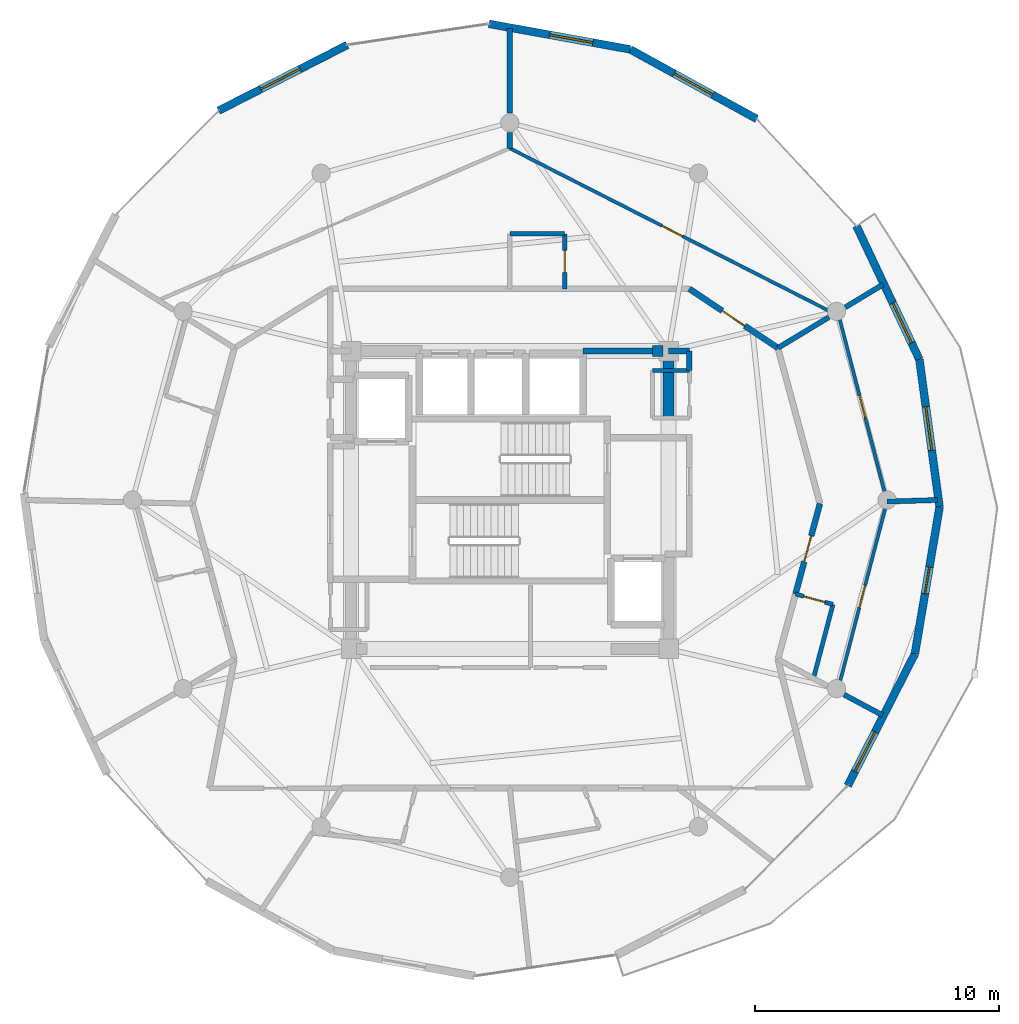
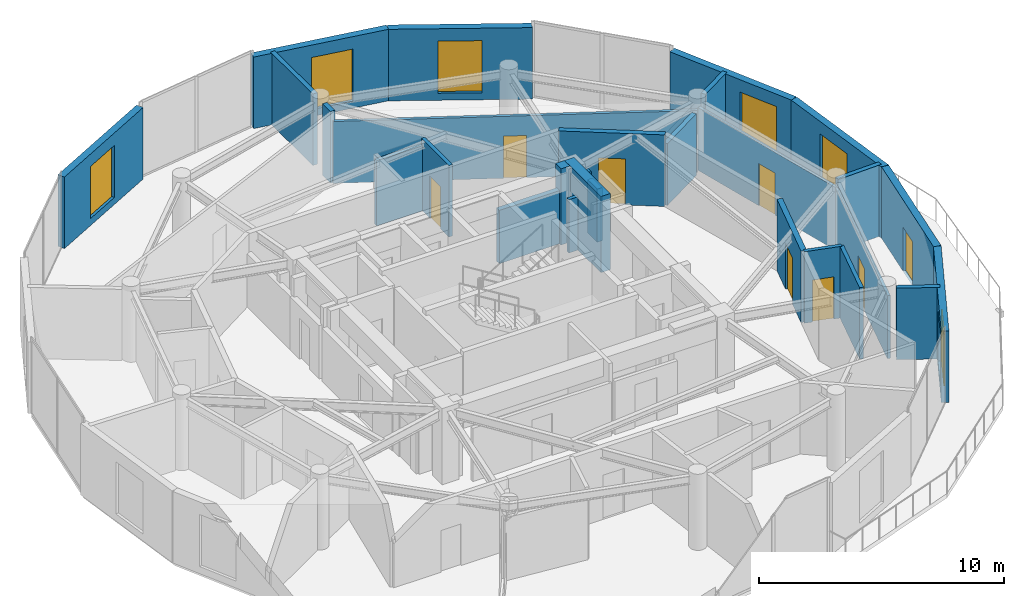
# One storey, part 20 of 23: 28 walls, 8 doors, 6 windows, 14 openings.
"""IFC4 building model written with IfcOpenShell, lengths in metres."""

from ifc_helpers import new_model, si_unit, direction, frame, frame_2d, origin, place, context, subcontext, project, spatial, rectangle, extrude, material, layer, layer_set, type_object, element, fill, save


model = new_model("IFC4")

# Units and contexts
model_context = context("Model", 3, precision=1e-05, world=origin(), true_north=direction((0.0, 1.0)))
body_context = subcontext(model_context, "Body", "Model", "MODEL_VIEW")
ifc_project = project(units=[si_unit("LENGTHUNIT", "METRE"), si_unit("AREAUNIT", "SQUARE_METRE"), si_unit("VOLUMEUNIT", "CUBIC_METRE"), si_unit("PLANEANGLEUNIT", "RADIAN"), si_unit("MASSUNIT", "GRAM", prefix="KILO")], contexts=[model_context])

# Site, building, storey
site_placement = place(None, origin())
site = spatial("IfcSite", under=ifc_project, at=site_placement, CompositionType="ELEMENT")
building_placement = place(site_placement, origin())
building = spatial("IfcBuilding", under=site, at=building_placement, Name="Solvirekh Grand Hotel", CompositionType="ELEMENT")
storey_placement = place(building_placement, frame((0.0, 0.0, 282.0)))
storey = spatial("IfcBuildingStorey", under=building, at=storey_placement, Name="L73", CompositionType="ELEMENT", Elevation=282.0)

# Walls
ifc_material_1 = material(Name="Concrete C50/60", Category="concrete")
ifc_layer_1 = layer(ifc_material_1, 0.449951171875)
ifc_layer_set_1 = layer_set([ifc_layer_1], Name="Concrete C50/60")
wall_type_1 = type_object("IfcWallType", Name="CoreWall_RC450", PredefinedType="SHEAR", material=ifc_layer_set_1)
wall_1_placement = place(storey_placement, frame((5.85009765625, 6.10009765625, 0.0), z_axis=(0.0, 0.0, 1.0), x_axis=(1.0, 0.0, 0.0)))
element("IfcWall", 1, at=wall_1_placement, inside=storey, type_object=wall_type_1, Name="L73 core corner shear wall NE-N", PredefinedType="SHEAR", context=body_context, shape_type="SweptSolid", body=[
    extrude(rectangle(XDim=0.4248046875, YDim=0.449951171875, at=frame_2d((0.21240234375, 0.0))), origin(), (0.0, 0.0, 1.0), 3.800048828125),
])
wall_2_placement = place(storey_placement, frame((6.5, 3.35009765625, 0.0), z_axis=(0.0, 0.0, 1.0), x_axis=(0.0, 1.0, 0.0)))
element("IfcWall", 2, at=wall_2_placement, inside=storey, type_object=wall_type_1, Name="L73 core corner shear wall EN-E", PredefinedType="SHEAR", context=body_context, shape_type="SweptSolid", body=[
    extrude(rectangle(XDim=2.974853515625, YDim=0.449951171875, at=frame_2d((1.4873046875, 0.0))), origin(), (0.0, 0.0, 1.0), 3.800048828125),
])

# Wall, opening, window
ifc_material_2 = material(Name="Precast concrete C45/55", Category="concrete")
ifc_layer_2 = layer(ifc_material_2, 0.320068359375)
ifc_layer_set_2 = layer_set([ifc_layer_2], Name="Precast concrete C45/55")
wall_type_2 = type_object("IfcWallType", Name="ExtLobbyWall_RC320", PredefinedType="SOLIDWALL", material=ifc_layer_set_2)
wall_3_placement = place(storey_placement, frame((16.587890625, -6.299072265625, 0.0), z_axis=(0.0, 0.0, 1.0), x_axis=(-0.453783790234, -0.891111817743, 0.0)))
wall_3 = element("IfcWall", 3, at=wall_3_placement, inside=storey, type_object=wall_type_2, Name="L73 exterior structural wall chord 4", PredefinedType="SOLIDWALL", context=body_context, shape_type="SweptSolid", body=[
    extrude(rectangle(XDim=6.05322265625, YDim=0.320068359375, at=frame_2d((3.026611328125, 0.0))), origin(), (0.0, 0.0, 1.0), 3.570068359375),
])
opening_1_placement = place(wall_3_placement, frame((3.596923828125, 0.0, 0.35009765625)))
opening_1 = element("IfcOpeningElement", 4, at=opening_1_placement, cuts=wall_3, Name="Opening W02", PredefinedType="OPENING", context=body_context, shape_type="SweptSolid", body=[
    extrude(rectangle(XDim=1.800048828125, YDim=2.60009765625, at=frame_2d((0.89990234375, 1.300048828125))), frame((0.0, 0.169921875, 0.0), z_axis=(0.0, -1.0, 0.0), x_axis=(1.0, 0.0, 0.0)), (0.0, 0.0, 1.0), 0.340087890625),
])
ifc_material_3 = material(Name="Low-E Tinted Bronze Laminated Glass", Category="aluminium")
window_type = type_object("IfcWindowType", Name="Win_LobbyExt_1800X2600", PartitioningType="SINGLE_PANEL", PredefinedType="WINDOW", material=ifc_material_3)
window_1_placement = place(opening_1_placement, origin())
window_1 = element("IfcWindow", 5, at=window_1_placement, inside=storey, type_object=window_type, Name="L73 panoramic bronze-framed window 4", OverallHeight=2.60009765625, OverallWidth=1.800048828125, PartitioningType="SINGLE_PANEL", PredefinedType="WINDOW", context=body_context, shape_type="SweptSolid", body=[
    extrude(rectangle(XDim=1.800048828125, YDim=2.60009765625, at=frame_2d((0.89990234375, 1.300048828125))), frame((0.0, 0.030029296875, 0.0), z_axis=(0.0, -1.0, 0.0), x_axis=(1.0, 0.0, 0.0)), (0.0, 0.0, 1.0), 0.06005859375),
])
fill(opening_1, window_1)

# Wall, opening, door
wall_4_placement = place(storey_placement, frame((17.597900390625, -0.2880859375, 0.0), z_axis=(0.0, 0.0, 1.0), x_axis=(-0.165704395055, -0.986175467886, 0.0)))
wall_4 = element("IfcWall", 6, at=wall_4_placement, inside=storey, type_object=wall_type_2, Name="L73 exterior structural wall chord 5", PredefinedType="SOLIDWALL", context=body_context, shape_type="SweptSolid", body=[
    extrude(rectangle(XDim=6.09521484375, YDim=0.320068359375, at=frame_2d((3.047607421875, 0.0))), origin(), (0.0, 0.0, 1.0), 3.570068359375),
])
opening_2_placement = place(wall_4_placement, frame((2.498046875, 0.0, 0.0)))
opening_2 = element("IfcOpeningElement", 7, at=opening_2_placement, cuts=wall_4, Name="Opening D03", PredefinedType="OPENING", context=body_context, shape_type="SweptSolid", body=[
    extrude(rectangle(XDim=1.10009765625, YDim=2.199951171875, at=frame_2d((0.550048828125, 1.10009765625))), frame((0.0, 0.169921875, 0.0), z_axis=(0.0, -1.0, 0.0), x_axis=(1.0, 0.0, 0.0)), (0.0, 0.0, 1.0), 0.340087890625),
])
ifc_material_4 = material(Name="Anodized Bronze Aluminium 6063-T6", Category="aluminium")
door_type_1 = type_object("IfcDoorType", Name="Door_ExtBalcony_1100X2200", OperationType="NOTDEFINED", PredefinedType="DOOR", material=ifc_material_4)
door_1_placement = place(opening_2_placement, origin())
door_1 = element("IfcDoor", 8, at=door_1_placement, inside=storey, type_object=door_type_1, Name="L73 Crescent balcony glazed door (5)", OperationType="SINGLE_SWING_LEFT", OverallHeight=2.199951171875, OverallWidth=1.10009765625, PredefinedType="DOOR", context=body_context, shape_type="SweptSolid", body=[
    extrude(rectangle(XDim=1.10009765625, YDim=2.199951171875, at=frame_2d((0.550048828125, 1.10009765625))), frame((0.0, 0.02490234375, 0.0), z_axis=(0.0, -1.0, 0.0), x_axis=(1.0, 0.0, 0.0)), (0.0, 0.0, 1.0), 0.050048828125),
])
fill(opening_2, door_1)

# Wall, opening, window
wall_5_placement = place(storey_placement, frame((16.77294921875, 5.7509765625, 0.0), z_axis=(0.0, 0.0, 1.0), x_axis=(0.135345568291, -0.990798454351, 0.0)))
wall_5 = element("IfcWall", 9, at=wall_5_placement, inside=storey, type_object=wall_type_2, Name="L73 exterior structural wall chord 6", PredefinedType="SOLIDWALL", context=body_context, shape_type="SweptSolid", body=[
    extrude(rectangle(XDim=6.09521484375, YDim=0.320068359375, at=frame_2d((3.047607421875, 0.0))), origin(), (0.0, 0.0, 1.0), 3.570068359375),
])
opening_3_placement = place(wall_5_placement, frame((1.949951171875, 0.0, 0.35009765625)))
opening_3 = element("IfcOpeningElement", 10, at=opening_3_placement, cuts=wall_5, Name="Opening W02", PredefinedType="OPENING", context=body_context, shape_type="SweptSolid", body=[
    extrude(rectangle(XDim=1.800048828125, YDim=2.60009765625, at=frame_2d((0.89990234375, 1.300048828125))), frame((0.0, 0.169921875, 0.0), z_axis=(0.0, -1.0, 0.0), x_axis=(1.0, 0.0, 0.0)), (0.0, 0.0, 1.0), 0.340087890625),
])
window_2_placement = place(opening_3_placement, origin())
window_2 = element("IfcWindow", 11, at=window_2_placement, inside=storey, type_object=window_type, Name="L73 panoramic bronze-framed window 6", OverallHeight=2.60009765625, OverallWidth=1.800048828125, PartitioningType="SINGLE_PANEL", PredefinedType="WINDOW", context=body_context, shape_type="SweptSolid", body=[
    extrude(rectangle(XDim=1.800048828125, YDim=2.60009765625, at=frame_2d((0.89990234375, 1.300048828125))), frame((0.0, 0.030029296875, 0.0), z_axis=(0.0, -1.0, 0.0), x_axis=(1.0, 0.0, 0.0)), (0.0, 0.0, 1.0), 0.06005859375),
])
fill(opening_3, window_2)

wall_6_placement = place(storey_placement, frame((14.193115234375, 11.22705078125, 0.0), z_axis=(0.0, 0.0, 1.0), x_axis=(0.426183517714, -0.904636727769, 0.0)))
wall_6 = element("IfcWall", 12, at=wall_6_placement, inside=storey, type_object=wall_type_2, Name="L73 exterior structural wall chord 7", PredefinedType="SOLIDWALL", context=body_context, shape_type="SweptSolid", body=[
    extrude(rectangle(XDim=6.05322265625, YDim=0.320068359375, at=frame_2d((3.026611328125, 0.0))), origin(), (0.0, 0.0, 1.0), 3.570068359375),
])
opening_4_placement = place(wall_6_placement, frame((3.49609375, 0.0, 0.35009765625)))
opening_4 = element("IfcOpeningElement", 13, at=opening_4_placement, cuts=wall_6, Name="Opening W02", PredefinedType="OPENING", context=body_context, shape_type="SweptSolid", body=[
    extrude(rectangle(XDim=1.800048828125, YDim=2.60009765625, at=frame_2d((0.89990234375, 1.300048828125))), frame((0.0, 0.169921875, 0.0), z_axis=(0.0, -1.0, 0.0), x_axis=(1.0, 0.0, 0.0)), (0.0, 0.0, 1.0), 0.340087890625),
])
window_3_placement = place(opening_4_placement, origin())
window_3 = element("IfcWindow", 14, at=window_3_placement, inside=storey, type_object=window_type, Name="L73 panoramic bronze-framed window 7", OverallHeight=2.60009765625, OverallWidth=1.800048828125, PartitioningType="SINGLE_PANEL", PredefinedType="WINDOW", context=body_context, shape_type="SweptSolid", body=[
    extrude(rectangle(XDim=1.800048828125, YDim=2.60009765625, at=frame_2d((0.89990234375, 1.300048828125))), frame((0.0, 0.030029296875, 0.0), z_axis=(0.0, -1.0, 0.0), x_axis=(1.0, 0.0, 0.0)), (0.0, 0.0, 1.0), 0.06005859375),
])
fill(opening_4, window_3)

wall_7_placement = place(storey_placement, frame((4.927978515625, 18.4541015625, 0.0), z_axis=(0.0, 0.0, 1.0), x_axis=(0.876367486065, -0.481643051822, 0.0)))
wall_7 = element("IfcWall", 15, at=wall_7_placement, inside=storey, type_object=wall_type_2, Name="L73 exterior structural wall chord 9", PredefinedType="SOLIDWALL", context=body_context, shape_type="SweptSolid", body=[
    extrude(rectangle(XDim=5.91552734375, YDim=0.320068359375, at=frame_2d((2.957763671875, 0.0))), origin(), (0.0, 0.0, 1.0), 3.570068359375),
])
opening_5_placement = place(wall_7_placement, frame((2.05810546875, 0.0, 0.35009765625)))
opening_5 = element("IfcOpeningElement", 16, at=opening_5_placement, cuts=wall_7, Name="Opening W02", PredefinedType="OPENING", context=body_context, shape_type="SweptSolid", body=[
    extrude(rectangle(XDim=1.800048828125, YDim=2.60009765625, at=frame_2d((0.89990234375, 1.300048828125))), frame((0.0, 0.169921875, 0.0), z_axis=(0.0, -1.0, 0.0), x_axis=(1.0, 0.0, 0.0)), (0.0, 0.0, 1.0), 0.340087890625),
])
window_4_placement = place(opening_5_placement, origin())
window_4 = element("IfcWindow", 17, at=window_4_placement, inside=storey, type_object=window_type, Name="L73 panoramic bronze-framed window 9", OverallHeight=2.60009765625, OverallWidth=1.800048828125, PartitioningType="SINGLE_PANEL", PredefinedType="WINDOW", context=body_context, shape_type="SweptSolid", body=[
    extrude(rectangle(XDim=1.800048828125, YDim=2.60009765625, at=frame_2d((0.89990234375, 1.300048828125))), frame((0.0, 0.030029296875, 0.0), z_axis=(0.0, -1.0, 0.0), x_axis=(1.0, 0.0, 0.0)), (0.0, 0.0, 1.0), 0.06005859375),
])
fill(opening_5, window_4)

wall_8_placement = place(storey_placement, frame((-0.85107421875, 19.498046875, 0.0), z_axis=(0.0, 0.0, 1.0), x_axis=(0.984072814276, -0.177765846557, 0.0)))
wall_8 = element("IfcWall", 18, at=wall_8_placement, inside=storey, type_object=wall_type_2, Name="L73 exterior structural wall chord 10", PredefinedType="SOLIDWALL", context=body_context, shape_type="SweptSolid", body=[
    extrude(rectangle(XDim=5.87255859375, YDim=0.320068359375, at=frame_2d((2.936279296875, 0.0))), origin(), (0.0, 0.0, 1.0), 3.570068359375),
])
opening_6_placement = place(wall_8_placement, frame((2.52197265625, 0.0, 0.35009765625)))
opening_6 = element("IfcOpeningElement", 19, at=opening_6_placement, cuts=wall_8, Name="Opening W02", PredefinedType="OPENING", context=body_context, shape_type="SweptSolid", body=[
    extrude(rectangle(XDim=1.800048828125, YDim=2.60009765625, at=frame_2d((0.89990234375, 1.300048828125))), frame((0.0, 0.169921875, 0.0), z_axis=(0.0, -1.0, 0.0), x_axis=(1.0, 0.0, 0.0)), (0.0, 0.0, 1.0), 0.340087890625),
])
window_5_placement = place(opening_6_placement, origin())
window_5 = element("IfcWindow", 20, at=window_5_placement, inside=storey, type_object=window_type, Name="L73 panoramic bronze-framed window 10", OverallHeight=2.60009765625, OverallWidth=1.800048828125, PartitioningType="SINGLE_PANEL", PredefinedType="WINDOW", context=body_context, shape_type="SweptSolid", body=[
    extrude(rectangle(XDim=1.800048828125, YDim=2.60009765625, at=frame_2d((0.89990234375, 1.300048828125))), frame((0.0, 0.030029296875, 0.0), z_axis=(0.0, -1.0, 0.0), x_axis=(1.0, 0.0, 0.0)), (0.0, 0.0, 1.0), 0.06005859375),
])
fill(opening_6, window_5)

wall_9_placement = place(storey_placement, frame((-11.927001953125, 15.943115234375, 0.0), z_axis=(0.0, 0.0, 1.0), x_axis=(0.890681374573, 0.454628077651, 0.0)))
wall_9 = element("IfcWall", 21, at=wall_9_placement, inside=storey, type_object=wall_type_2, Name="L73 exterior structural wall chord 12", PredefinedType="SOLIDWALL", context=body_context, shape_type="SweptSolid", body=[
    extrude(rectangle(XDim=5.91455078125, YDim=0.320068359375, at=frame_2d((2.957275390625, 0.0))), origin(), (0.0, 0.0, 1.0), 3.570068359375),
])
opening_7_placement = place(wall_9_placement, frame((1.947021484375, 0.0, 0.35009765625)))
opening_7 = element("IfcOpeningElement", 22, at=opening_7_placement, cuts=wall_9, Name="Opening W02", PredefinedType="OPENING", context=body_context, shape_type="SweptSolid", body=[
    extrude(rectangle(XDim=1.800048828125, YDim=2.60009765625, at=frame_2d((0.89990234375, 1.300048828125))), frame((0.0, 0.169921875, 0.0), z_axis=(0.0, -1.0, 0.0), x_axis=(1.0, 0.0, 0.0)), (0.0, 0.0, 1.0), 0.340087890625),
])
window_6_placement = place(opening_7_placement, origin())
window_6 = element("IfcWindow", 23, at=window_6_placement, inside=storey, type_object=window_type, Name="L73 panoramic bronze-framed window 12", OverallHeight=2.60009765625, OverallWidth=1.800048828125, PartitioningType="SINGLE_PANEL", PredefinedType="WINDOW", context=body_context, shape_type="SweptSolid", body=[
    extrude(rectangle(XDim=1.800048828125, YDim=2.60009765625, at=frame_2d((0.89990234375, 1.300048828125))), frame((0.0, 0.030029296875, 0.0), z_axis=(0.0, -1.0, 0.0), x_axis=(1.0, 0.0, 0.0)), (0.0, 0.0, 1.0), 0.06005859375),
])
fill(opening_7, window_6)

# Walls
ifc_material_5 = material(Name="Acoustic Gypsum Partition Assembly")
ifc_layer_3 = layer(ifc_material_5, 0.1650390625)
ifc_layer_set_3 = layer_set([ifc_layer_3], Name="Acoustic Gypsum Partition Assembly")
wall_type_3 = type_object("IfcWallType", Name="Part_BOH_165", PredefinedType="PARTITIONING", material=ifc_layer_set_3)
wall_10_placement = place(storey_placement, frame((7.35009765625, 5.300048828125, 0.0), z_axis=(0.0, 0.0, 1.0), x_axis=(-1.0, 0.0, 0.0)))
element("IfcWall", 24, at=wall_10_placement, inside=storey, type_object=wall_type_3, Name="L73 L73 Core Housekeeping Room wall 3", PredefinedType="PARTITIONING", context=body_context, shape_type="SweptSolid", body=[
    extrude(rectangle(XDim=1.5, YDim=0.1650390625, at=frame_2d((0.75, 0.0))), origin(), (0.0, 0.0, 1.0), 2.655029296875),
])
ifc_layer_4 = layer(ifc_material_5, 0.239990234375)
ifc_layer_set_4 = layer_set([ifc_layer_4], Name="Acoustic Gypsum Partition Assembly")
wall_type_4 = type_object("IfcWallType", Name="Part_Corridor_240", PredefinedType="PARTITIONING", material=ifc_layer_set_4)
wall_11_placement = place(storey_placement, frame((3.0, 6.10009765625, 0.0), z_axis=(0.0, 0.0, 1.0), x_axis=(1.0, 0.0, 0.0)))
element("IfcWall", 25, at=wall_11_placement, inside=storey, type_object=wall_type_4, Name="L73 north core shaft infill wall", PredefinedType="PARTITIONING", context=body_context, shape_type="SweptSolid", body=[
    extrude(rectangle(XDim=2.85009765625, YDim=0.239990234375, at=frame_2d((1.425048828125, 0.0))), origin(), (0.0, 0.0, 1.0), 2.655029296875),
])
wall_12_placement = place(storey_placement, frame((7.35009765625, 5.300048828125, 0.0), z_axis=(0.0, 0.0, 1.0), x_axis=(0.0, 1.0, 0.0)))
element("IfcWall", 26, at=wall_12_placement, inside=storey, type_object=wall_type_4, Name="L73 NE core cheek closure wall", PredefinedType="PARTITIONING", context=body_context, shape_type="SweptSolid", body=[
    extrude(rectangle(XDim=0.800048828125, YDim=0.239990234375, at=frame_2d((0.39990234375, 0.0))), origin(), (0.0, 0.0, 1.0), 2.655029296875),
])
wall_13_placement = place(storey_placement, frame((6.5, 6.10009765625, 0.0), z_axis=(0.0, 0.0, 1.0), x_axis=(1.0, 0.0, 0.0)))
element("IfcWall", 27, at=wall_13_placement, inside=storey, type_object=wall_type_4, Name="L73 NE core corner tie wall", PredefinedType="PARTITIONING", context=body_context, shape_type="SweptSolid", body=[
    extrude(rectangle(XDim=0.85009765625, YDim=0.239990234375, at=frame_2d((0.425048828125, 0.0))), origin(), (0.0, 0.0, 1.0), 3.0849609375),
])

# Wall, opening, door
wall_14_placement = place(storey_placement, frame((7.35009765625, 8.64990234375, 0.0), z_axis=(0.0, 0.0, 1.0), x_axis=(0.831395547998, -0.555681062094, 0.0)))
wall_14 = element("IfcWall", 28, at=wall_14_placement, inside=storey, type_object=wall_type_4, Name="L73 Panorama Suite 7501 Inner Suite Lounge entrance wall", PredefinedType="PARTITIONING", context=body_context, shape_type="SweptSolid", body=[
    extrude(rectangle(XDim=4.36376953125, YDim=0.239990234375, at=frame_2d((2.181884765625, 0.0))), origin(), (0.0, 0.0, 1.0), 3.570068359375),
])
opening_8_placement = place(wall_14_placement, frame((1.632080078125, 0.0, 0.0)))
opening_8 = element("IfcOpeningElement", 29, at=opening_8_placement, cuts=wall_14, Name="Opening D08", PredefinedType="OPENING", context=body_context, shape_type="SweptSolid", body=[
    extrude(rectangle(XDim=1.10009765625, YDim=2.300048828125, at=frame_2d((0.550048828125, 1.14990234375))), frame((0.0, 0.1298828125, 0.0), z_axis=(0.0, -1.0, 0.0), x_axis=(1.0, 0.0, 0.0)), (0.0, 0.0, 1.0), 0.260009765625),
])
ifc_material_6 = material(Name="Fire-Rated Steel Door Assembly", Category="steel")
door_type_2 = type_object("IfcDoorType", Name="Door_SuiteEntry_1100X2300", OperationType="NOTDEFINED", PredefinedType="DOOR", material=ifc_material_6)
door_2_placement = place(opening_8_placement, origin())
door_2 = element("IfcDoor", 30, at=door_2_placement, inside=storey, type_object=door_type_2, Name="L73 Panorama Suite 7501 Inner Suite Lounge entrance door", OperationType="SINGLE_SWING_RIGHT", OverallHeight=2.300048828125, OverallWidth=1.10009765625, PredefinedType="DOOR", context=body_context, shape_type="SweptSolid", body=[
    extrude(rectangle(XDim=1.10009765625, YDim=2.300048828125, at=frame_2d((0.550048828125, 1.14990234375))), frame((0.0, 0.02490234375, 0.0), z_axis=(0.0, -1.0, 0.0), x_axis=(1.0, 0.0, 0.0)), (0.0, 0.0, 1.0), 0.050048828125),
])
fill(opening_8, door_2)

wall_15_placement = place(storey_placement, frame((11.700927734375, -3.847900390625, 0.0), z_axis=(0.0, 0.0, 1.0), x_axis=(0.260803073576, 0.965392022348, 0.0)))
wall_15 = element("IfcWall", 31, at=wall_15_placement, inside=storey, type_object=wall_type_4, Name="L73 Executive Suite 7504 Living Room entrance wall", PredefinedType="PARTITIONING", context=body_context, shape_type="SweptSolid", body=[
    extrude(rectangle(XDim=3.83056640625, YDim=0.239990234375, at=frame_2d((1.915283203125, 0.0))), origin(), (0.0, 0.0, 1.0), 3.570068359375),
])
opening_9_placement = place(wall_15_placement, frame((1.364990234375, 0.0, 0.0)))
opening_9 = element("IfcOpeningElement", 32, at=opening_9_placement, cuts=wall_15, Name="Opening D08", PredefinedType="OPENING", context=body_context, shape_type="SweptSolid", body=[
    extrude(rectangle(XDim=1.10009765625, YDim=2.300048828125, at=frame_2d((0.550048828125, 1.14990234375))), frame((0.0, 0.1298828125, 0.0), z_axis=(0.0, -1.0, 0.0), x_axis=(1.0, 0.0, 0.0)), (0.0, 0.0, 1.0), 0.260009765625),
])
door_3_placement = place(opening_9_placement, origin())
door_3 = element("IfcDoor", 33, at=door_3_placement, inside=storey, type_object=door_type_2, Name="L73 Executive Suite 7504 Living Room entrance door", OperationType="SINGLE_SWING_RIGHT", OverallHeight=2.300048828125, OverallWidth=1.10009765625, PredefinedType="DOOR", context=body_context, shape_type="SweptSolid", body=[
    extrude(rectangle(XDim=1.10009765625, YDim=2.300048828125, at=frame_2d((0.550048828125, 1.14990234375))), frame((0.0, 0.02490234375, 0.0), z_axis=(0.0, -1.0, 0.0), x_axis=(1.0, 0.0, 0.0)), (0.0, 0.0, 1.0), 0.050048828125),
])
fill(opening_9, door_3)

ifc_layer_5 = layer(ifc_material_5, 0.135009765625)
ifc_layer_set_5 = layer_set([ifc_layer_5], Name="Acoustic Gypsum Partition Assembly")
wall_type_5 = type_object("IfcWallType", Name="Part_RoomInt_135", PredefinedType="PARTITIONING", material=ifc_layer_set_5)
wall_16_placement = place(storey_placement, frame((0.0, 14.403076171875, 0.0), z_axis=(0.0, 0.0, 1.0), x_axis=(0.89107593803, -0.45385424165, 0.0)))
wall_16 = element("IfcWall", 34, at=wall_16_placement, inside=storey, type_object=wall_type_5, Name="L73 Panorama Suite 7501 North Sitting Room bedroom screen wall", PredefinedType="PARTITIONING", context=body_context, shape_type="SweptSolid", body=[
    extrude(rectangle(XDim=14.927978515625, YDim=0.135009765625, at=frame_2d((7.4638671875, 0.0))), origin(), (0.0, 0.0, 1.0), 3.0849609375),
])
opening_10_placement = place(wall_16_placement, frame((6.989013671875, 0.0, 0.0)))
opening_10 = element("IfcOpeningElement", 35, at=opening_10_placement, cuts=wall_16, Name="Opening D10", PredefinedType="OPENING", context=body_context, shape_type="SweptSolid", body=[
    extrude(rectangle(XDim=0.949951171875, YDim=2.10009765625, at=frame_2d((0.47509765625, 1.050048828125))), frame((0.0, 0.07763671875, 0.0), z_axis=(0.0, -1.0, 0.0), x_axis=(1.0, 0.0, 0.0)), (0.0, 0.0, 1.0), 0.155029296875),
])
door_type_3 = type_object("IfcDoorType", Name="Door_RoomInt_950X2100", OperationType="NOTDEFINED", PredefinedType="DOOR", material=ifc_material_4)
door_4_placement = place(opening_10_placement, origin())
door_4 = element("IfcDoor", 36, at=door_4_placement, inside=storey, type_object=door_type_3, Name="L73 Panorama Suite 7501 North Sitting Room master bedroom door", OperationType="SINGLE_SWING_LEFT", OverallHeight=2.10009765625, OverallWidth=0.949951171875, PredefinedType="DOOR", context=body_context, shape_type="SweptSolid", body=[
    extrude(rectangle(XDim=0.949951171875, YDim=2.10009765625, at=frame_2d((0.47509765625, 1.050048828125))), frame((0.0, 0.02490234375, 0.0), z_axis=(0.0, -1.0, 0.0), x_axis=(1.0, 0.0, 0.0)), (0.0, 0.0, 1.0), 0.050048828125),
])
fill(opening_10, door_4)

wall_17_placement = place(storey_placement, frame((13.419921875, -7.8291015625, 0.0), z_axis=(0.0, 0.0, 1.0), x_axis=(0.252616340929, 0.967566527065, 0.0)))
wall_17 = element("IfcWall", 37, at=wall_17_placement, inside=storey, type_object=wall_type_5, Name="L73 Executive Suite 7504 Living Room bedroom screen wall", PredefinedType="PARTITIONING", context=body_context, shape_type="SweptSolid", body=[
    extrude(rectangle(XDim=8.0244140625, YDim=0.135009765625, at=frame_2d((4.01220703125, 0.0))), origin(), (0.0, 0.0, 1.0), 3.136962890625),
])
opening_11_placement = place(wall_17_placement, frame((3.537109375, 0.0, 0.0)))
opening_11 = element("IfcOpeningElement", 38, at=opening_11_placement, cuts=wall_17, Name="Opening D10", PredefinedType="OPENING", context=body_context, shape_type="SweptSolid", body=[
    extrude(rectangle(XDim=0.949951171875, YDim=2.10009765625, at=frame_2d((0.47509765625, 1.050048828125))), frame((0.0, 0.07763671875, 0.0), z_axis=(0.0, -1.0, 0.0), x_axis=(1.0, 0.0, 0.0)), (0.0, 0.0, 1.0), 0.155029296875),
])
door_5_placement = place(opening_11_placement, origin())
door_5 = element("IfcDoor", 39, at=door_5_placement, inside=storey, type_object=door_type_3, Name="L73 Executive Suite 7504 Living Room master bedroom door", OperationType="SINGLE_SWING_LEFT", OverallHeight=2.10009765625, OverallWidth=0.949951171875, PredefinedType="DOOR", context=body_context, shape_type="SweptSolid", body=[
    extrude(rectangle(XDim=0.949951171875, YDim=2.10009765625, at=frame_2d((0.47509765625, 1.050048828125))), frame((0.0, 0.02490234375, 0.0), z_axis=(0.0, -1.0, 0.0), x_axis=(1.0, 0.0, 0.0)), (0.0, 0.0, 1.0), 0.050048828125),
])
fill(opening_11, door_5)

wall_18_placement = place(storey_placement, frame((15.447021484375, -0.06494140625, 0.0), z_axis=(0.0, 0.0, 1.0), x_axis=(-0.251126791961, 0.967954200548, 0.0)))
wall_18 = element("IfcWall", 40, at=wall_18_placement, inside=storey, type_object=wall_type_5, Name="L73 Executive Suite 7504 Panorama Suite Study bedroom screen wall", PredefinedType="PARTITIONING", context=body_context, shape_type="SweptSolid", body=[
    extrude(rectangle(XDim=8.0283203125, YDim=0.135009765625, at=frame_2d((4.01416015625, 0.0))), origin(), (0.0, 0.0, 1.0), 3.136962890625),
])
opening_12_placement = place(wall_18_placement, frame((3.5390625, 0.0, 0.0)))
opening_12 = element("IfcOpeningElement", 41, at=opening_12_placement, cuts=wall_18, Name="Opening D10", PredefinedType="OPENING", context=body_context, shape_type="SweptSolid", body=[
    extrude(rectangle(XDim=0.949951171875, YDim=2.10009765625, at=frame_2d((0.47509765625, 1.050048828125))), frame((0.0, 0.07763671875, 0.0), z_axis=(0.0, -1.0, 0.0), x_axis=(1.0, 0.0, 0.0)), (0.0, 0.0, 1.0), 0.155029296875),
])
door_6_placement = place(opening_12_placement, origin())
door_6 = element("IfcDoor", 42, at=door_6_placement, inside=storey, type_object=door_type_3, Name="L73 Executive Suite 7504 Panorama Suite Study master bedroom door", OperationType="SINGLE_SWING_RIGHT", OverallHeight=2.10009765625, OverallWidth=0.949951171875, PredefinedType="DOOR", context=body_context, shape_type="SweptSolid", body=[
    extrude(rectangle(XDim=0.949951171875, YDim=2.10009765625, at=frame_2d((0.47509765625, 1.050048828125))), frame((0.0, 0.02490234375, 0.0), z_axis=(0.0, -1.0, 0.0), x_axis=(1.0, 0.0, 0.0)), (0.0, 0.0, 1.0), 0.050048828125),
])
fill(opening_12, door_6)

# Walls
ifc_layer_6 = layer(ifc_material_5, 0.2099609375)
ifc_layer_set_6 = layer_set([ifc_layer_6], Name="Acoustic Gypsum Partition Assembly")
wall_type_6 = type_object("IfcWallType", Name="Part_SuiteDemise_210", PredefinedType="PARTITIONING", material=ifc_layer_set_6)
wall_19_placement = place(storey_placement, frame((10.97802734375, 6.22509765625, 0.0), z_axis=(0.0, 0.0, 1.0), x_axis=(0.856173916647, 0.516687743664, 0.0)))
element("IfcWall", 43, at=wall_19_placement, inside=storey, type_object=wall_type_6, Name="L73 suite radial wall 2 (A)", PredefinedType="PARTITIONING", context=body_context, shape_type="SweptSolid", body=[
    extrude(rectangle(XDim=2.438720703125, YDim=0.2099609375, at=frame_2d((1.21923828125, 0.0))), origin(), (0.0, 0.0, 1.0), 3.0849609375),
])
wall_20_placement = place(storey_placement, frame((13.738037109375, 7.89111328125, 0.0), z_axis=(0.0, 0.0, 1.0), x_axis=(0.856140161033, 0.516743674045, 0.0)))
element("IfcWall", 44, at=wall_20_placement, inside=storey, type_object=wall_type_6, Name="L73 suite radial wall 2 (B)", PredefinedType="PARTITIONING", context=body_context, shape_type="SweptSolid", body=[
    extrude(rectangle(XDim=1.803466796875, YDim=0.2099609375, at=frame_2d((0.90185546875, 0.0))), origin(), (0.0, 0.0, 1.0), 3.570068359375),
])
wall_21_placement = place(storey_placement, frame((13.68896484375, -7.971923828125, 0.0), z_axis=(0.0, 0.0, 1.0), x_axis=(0.882205167705, -0.470865205844, 0.0)))
element("IfcWall", 45, at=wall_21_placement, inside=storey, type_object=wall_type_6, Name="L73 suite radial wall 12 (B)", PredefinedType="PARTITIONING", context=body_context, shape_type="SweptSolid", body=[
    extrude(rectangle(XDim=1.7841796875, YDim=0.2099609375, at=frame_2d((0.89208984375, 0.0))), origin(), (0.0, 0.0, 1.0), 3.570068359375),
])
wall_22_placement = place(storey_placement, frame((0.0, 14.403076171875, 0.0), z_axis=(0.0, 0.0, 1.0), x_axis=(0.0, 1.0, 0.0)))
element("IfcWall", 46, at=wall_22_placement, inside=storey, type_object=wall_type_6, Name="L73 Panorama Suite 7501 North Sitting Room dividing partition 1 (A)", PredefinedType="PARTITIONING", context=body_context, shape_type="SweptSolid", body=[
    extrude(rectangle(XDim=0.65185546875, YDim=0.2099609375, at=frame_2d((0.325927734375, 0.0))), origin(), (0.0, 0.0, 1.0), 3.570068359375),
])
wall_23_placement = place(storey_placement, frame((0.0, 15.844970703125, 0.0), z_axis=(0.0, 0.0, 1.0), x_axis=(0.0, 1.0, 0.0)))
element("IfcWall", 47, at=wall_23_placement, inside=storey, type_object=wall_type_6, Name="L73 Panorama Suite 7501 North Sitting Room dividing partition 1 (B)", PredefinedType="PARTITIONING", context=body_context, shape_type="SweptSolid", body=[
    extrude(rectangle(XDim=3.458984375, YDim=0.2099609375, at=frame_2d((1.7294921875, 0.0))), origin(), (0.0, 0.0, 1.0), 3.570068359375),
])
wall_24_placement = place(storey_placement, frame((15.447021484375, -0.06494140625, 0.0), z_axis=(0.0, 0.0, 1.0), x_axis=(0.999509199435, 0.031326669854, 0.0)))
element("IfcWall", 48, at=wall_24_placement, inside=storey, type_object=wall_type_6, Name="L73 Executive Suite 7504 Living Room dividing partition 1", PredefinedType="PARTITIONING", context=body_context, shape_type="SweptSolid", body=[
    extrude(rectangle(XDim=2.072998046875, YDim=0.2099609375, at=frame_2d((1.03662109375, 0.0))), origin(), (0.0, 0.0, 1.0), 3.570068359375),
])
ifc_layer_7 = layer(ifc_material_5, 0.175048828125)
ifc_layer_set_7 = layer_set([ifc_layer_7], Name="Acoustic Gypsum Partition Assembly")
wall_type_7 = type_object("IfcWallType", Name="Plumb_Ensuite_175", PredefinedType="PLUMBINGWALL", material=ifc_layer_set_7)
wall_25_placement = place(storey_placement, frame((0.0, 10.89990234375, 0.0), z_axis=(0.0, 0.0, 1.0), x_axis=(1.0, 0.0, 0.0)))
element("IfcWall", 49, at=wall_25_placement, inside=storey, type_object=wall_type_7, Name="L73 En-suite Bathroom 7501 outer plumbing wall", PredefinedType="PLUMBINGWALL", context=body_context, shape_type="SweptSolid", body=[
    extrude(rectangle(XDim=2.25, YDim=0.175048828125, at=frame_2d((1.125, 0.0))), origin(), (0.0, 0.0, 1.0), 3.251953125),
])

# Wall, opening, door
wall_26_placement = place(storey_placement, frame((2.25, 8.64990234375, 0.0), z_axis=(0.0, 0.0, 1.0), x_axis=(0.0, 1.0, 0.0)))
wall_26 = element("IfcWall", 50, at=wall_26_placement, inside=storey, type_object=wall_type_7, Name="L73 En-suite Bathroom 7501 entry plumbing wall", PredefinedType="PLUMBINGWALL", context=body_context, shape_type="SweptSolid", body=[
    extrude(rectangle(XDim=2.25, YDim=0.175048828125, at=frame_2d((1.125, 0.0))), origin(), (0.0, 0.0, 1.0), 3.570068359375),
])
opening_13_placement = place(wall_26_placement, frame((0.675048828125, 0.0, 0.0)))
opening_13 = element("IfcOpeningElement", 51, at=opening_13_placement, cuts=wall_26, Name="Opening D09", PredefinedType="OPENING", context=body_context, shape_type="SweptSolid", body=[
    extrude(rectangle(XDim=0.89990234375, YDim=2.10009765625, at=frame_2d((0.449951171875, 1.050048828125))), frame((0.0, 0.09765625, 0.0), z_axis=(0.0, -1.0, 0.0), x_axis=(1.0, 0.0, 0.0)), (0.0, 0.0, 1.0), 0.195068359375),
])
door_type_4 = type_object("IfcDoorType", Name="Door_Ensuite_900X2100", OperationType="NOTDEFINED", PredefinedType="DOOR", material=ifc_material_4)
door_7_placement = place(opening_13_placement, origin())
door_7 = element("IfcDoor", 52, at=door_7_placement, inside=storey, type_object=door_type_4, Name="L73 En-suite Bathroom 7501 door", OperationType="SINGLE_SWING_LEFT", OverallHeight=2.10009765625, OverallWidth=0.89990234375, PredefinedType="DOOR", context=body_context, shape_type="SweptSolid", body=[
    extrude(rectangle(XDim=0.89990234375, YDim=2.10009765625, at=frame_2d((0.449951171875, 1.050048828125))), frame((0.0, 0.02490234375, 0.0), z_axis=(0.0, -1.0, 0.0), x_axis=(1.0, 0.0, 0.0)), (0.0, 0.0, 1.0), 0.050048828125),
])
fill(opening_13, door_7)

# Wall
wall_27_placement = place(storey_placement, frame((12.43505859375, -7.302978515625, 0.0), z_axis=(0.0, 0.0, 1.0), x_axis=(0.255253529306, 0.966874157156, 0.0)))
element("IfcWall", 53, at=wall_27_placement, inside=storey, type_object=wall_type_7, Name="L73 En-suite Bathroom 7504 outer plumbing wall", PredefinedType="PLUMBINGWALL", context=body_context, shape_type="SweptSolid", body=[
    extrude(rectangle(XDim=3.129638671875, YDim=0.175048828125, at=frame_2d((1.56494140625, 0.0))), origin(), (0.0, 0.0, 1.0), 3.570068359375),
])

# Wall, opening, door
wall_28_placement = place(storey_placement, frame((11.700927734375, -3.847900390625, 0.0), z_axis=(0.0, 0.0, 1.0), x_axis=(0.962968797948, -0.269612859817, 0.0)))
wall_28 = element("IfcWall", 54, at=wall_28_placement, inside=storey, type_object=wall_type_7, Name="L73 En-suite Bathroom 7504 entry plumbing wall", PredefinedType="PLUMBINGWALL", context=body_context, shape_type="SweptSolid", body=[
    extrude(rectangle(XDim=1.591796875, YDim=0.175048828125, at=frame_2d((0.7958984375, 0.0))), origin(), (0.0, 0.0, 1.0), 3.570068359375),
])
opening_14_placement = place(wall_28_placement, frame((0.345947265625, 0.0, 0.0)))
opening_14 = element("IfcOpeningElement", 55, at=opening_14_placement, cuts=wall_28, Name="Opening D09", PredefinedType="OPENING", context=body_context, shape_type="SweptSolid", body=[
    extrude(rectangle(XDim=0.89990234375, YDim=2.10009765625, at=frame_2d((0.449951171875, 1.050048828125))), frame((0.0, 0.09765625, 0.0), z_axis=(0.0, -1.0, 0.0), x_axis=(1.0, 0.0, 0.0)), (0.0, 0.0, 1.0), 0.195068359375),
])
door_8_placement = place(opening_14_placement, origin())
door_8 = element("IfcDoor", 56, at=door_8_placement, inside=storey, type_object=door_type_4, Name="L73 En-suite Bathroom 7504 door", OperationType="SINGLE_SWING_LEFT", OverallHeight=2.10009765625, OverallWidth=0.89990234375, PredefinedType="DOOR", context=body_context, shape_type="SweptSolid", body=[
    extrude(rectangle(XDim=0.89990234375, YDim=2.10009765625, at=frame_2d((0.449951171875, 1.050048828125))), frame((0.0, 0.02490234375, 0.0), z_axis=(0.0, -1.0, 0.0), x_axis=(1.0, 0.0, 0.0)), (0.0, 0.0, 1.0), 0.050048828125),
])
fill(opening_14, door_8)

save(model, "model.ifc")
